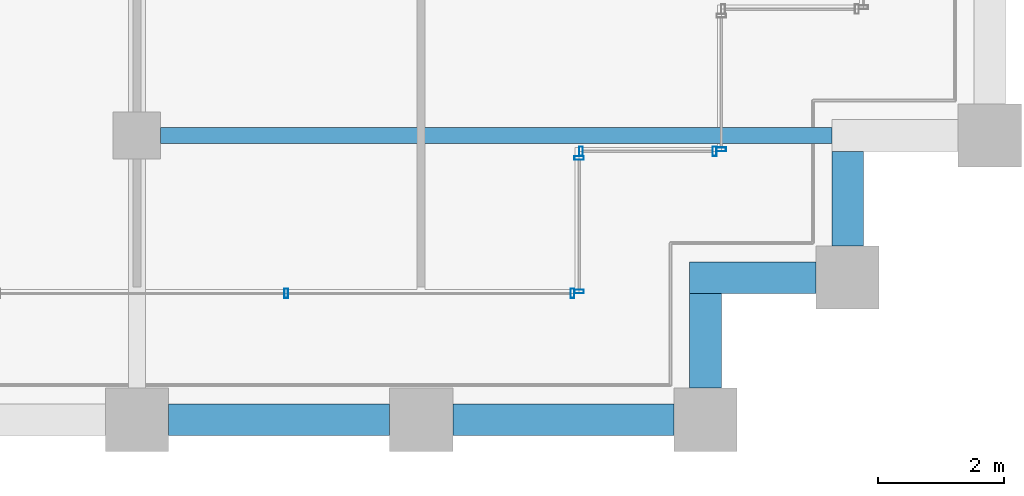
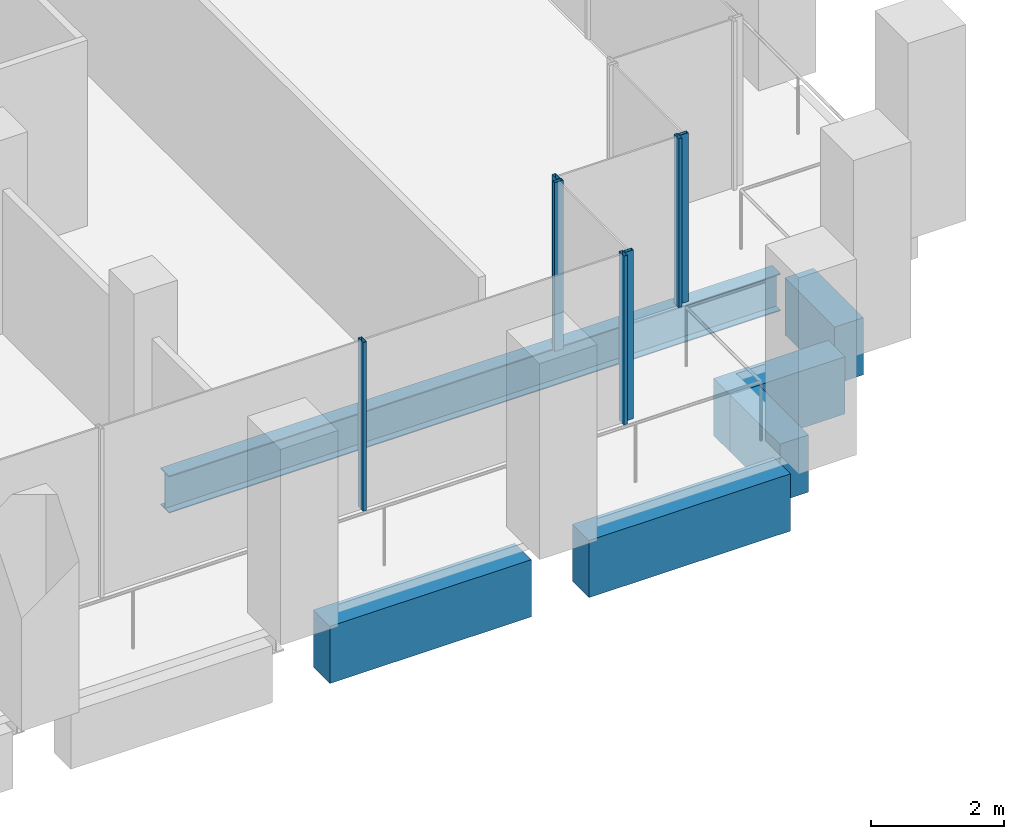
# One storey, part 12 of 46: 7 members, 6 beams, 4 elements without a shape of their own.
"""IFC4 building model written with IfcOpenShell, lengths in metres."""

from ifc_helpers import new_model, si_unit, direction, frame, origin, origin_2d, place, context, subcontext, project, spatial, rectangle, hollow_rectangle, i_section, extrude, material, material_profile, profile_set, type_object, element, aggregate, save


model = new_model("IFC4")

# Units and contexts
model_context = context("Model", 3, precision=1e-05, world=origin(), true_north=direction((0.0, 1.0)))
body_context = subcontext(model_context, "Body", "Model", "MODEL_VIEW")
ifc_project = project(units=[si_unit("LENGTHUNIT", "METRE"), si_unit("AREAUNIT", "SQUARE_METRE"), si_unit("VOLUMEUNIT", "CUBIC_METRE"), si_unit("PLANEANGLEUNIT", "RADIAN"), si_unit("MASSUNIT", "GRAM", prefix="KILO")], contexts=[model_context])

# Site, building, storey
site_placement = place(None, origin())
site = spatial("IfcSite", under=ifc_project, at=site_placement, CompositionType="ELEMENT")
building_placement = place(site_placement, origin())
building = spatial("IfcBuilding", under=site, at=building_placement, Name="Altepetl Exchange Towers", CompositionType="ELEMENT")
storey_placement = place(building_placement, frame((0.0, 0.0, 106.39990234375)))
storey = spatial("IfcBuildingStorey", under=building, at=storey_placement, Name="L26", CompositionType="ELEMENT", Elevation=106.39990234375)

# Beam
ifc_material_1 = material(Name="Steel S355", Category="steel")
ifc_material_profile_1 = material_profile(ifc_material_1, i_section(OverallWidth=0.25390625, OverallDepth=0.68408203125, WebThickness=0.012451171875, FlangeThickness=0.018798828125, at=origin_2d()), Name="W27X94")
ifc_profile_set_1 = profile_set([ifc_material_profile_1], Name="Steel S355")
beam_type_1 = type_object("IfcBeamType", Name="Floor beam W27X94", PredefinedType="BEAM", material=ifc_profile_set_1)
beam_1_placement = place(storey_placement, frame((58.875, 31.5, -0.491943359375), z_axis=(1.0, 0.0, 0.0), x_axis=(0.0, 1.0, 0.0)))
element("IfcBeam", 1, at=beam_1_placement, inside=storey, type_object=beam_type_1, Name="bm:A:L26:006", PredefinedType="BEAM", context=body_context, shape_type="SweptSolid", body=[
    extrude(i_section(OverallWidth=0.25390625, OverallDepth=0.68408203125, WebThickness=0.012451171875, FlangeThickness=0.018798828125, at=origin_2d()), origin(), (0.0, 0.0, 1.0), 10.625),
])

# Curtain wall, members
ifc_material_2 = material(Name="Aluminium 6063-T6 glazing", Category="aluminium")
curtain_wall_type = type_object("IfcCurtainWallType", Name="Loggia glazing system", PredefinedType="NOTDEFINED", material=ifc_material_2)
curtain_wall_1_placement = place(storey_placement, origin())
curtain_wall_1 = element("IfcCurtainWall", 2, at=curtain_wall_1_placement, inside=storey, type_object=curtain_wall_type, Name="CW1 run", PredefinedType="NOTDEFINED")
ifc_material_3 = material(Name="Aluminium 6063-T6", Category="aluminium")
ifc_material_profile_2 = material_profile(ifc_material_3, hollow_rectangle(XDim=0.06005859375, YDim=0.14990234375, WallThickness=0.0029296875, at=origin_2d()), Name="Mullion 60x150 aluminium")
ifc_profile_set_2 = profile_set([ifc_material_profile_2], Name="Aluminium 6063-T6")
member_type = type_object("IfcMemberType", Name="Mullion 60x150 aluminium", PredefinedType="MULLION", material=ifc_profile_set_2)
member_1_placement = place(storey_placement, frame((60.8642578125, 29.0, 0.0)))
member_1 = element("IfcMember", 3, at=member_1_placement, type_object=member_type, Name="MU1 mullion", PredefinedType="MULLION", context=body_context, shape_type="SweptSolid", body=[
    extrude(hollow_rectangle(XDim=0.06005859375, YDim=0.14990234375, WallThickness=0.0029296875, at=origin_2d()), origin(), (0.0, 0.0, 1.0), 3.10009765625),
])
member_2_placement = place(storey_placement, frame((65.39501953125, 29.0, 0.0)))
member_2 = element("IfcMember", 4, at=member_2_placement, type_object=member_type, Name="MU1 mullion", PredefinedType="MULLION", context=body_context, shape_type="SweptSolid", body=[
    extrude(hollow_rectangle(XDim=0.06005859375, YDim=0.14990234375, WallThickness=0.0029296875, at=origin_2d()), origin(), (0.0, 0.0, 1.0), 3.10009765625),
])
aggregate(curtain_wall_1, [member_1, member_2])

curtain_wall_2_placement = place(storey_placement, origin())
curtain_wall_2 = element("IfcCurtainWall", 5, at=curtain_wall_2_placement, inside=storey, type_object=curtain_wall_type, Name="CW1 run", PredefinedType="NOTDEFINED")
member_3_placement = place(storey_placement, frame((65.5, 29.030029296875, 0.0), z_axis=(0.0, 0.0, 1.0), x_axis=(0.0, 1.0, 0.0)))
member_3 = element("IfcMember", 6, at=member_3_placement, type_object=member_type, Name="MU1 mullion", PredefinedType="MULLION", context=body_context, shape_type="SweptSolid", body=[
    extrude(hollow_rectangle(XDim=0.06005859375, YDim=0.14990234375, WallThickness=0.0029296875, at=origin_2d()), origin(), (0.0, 0.0, 1.0), 3.10009765625),
])
member_4_placement = place(storey_placement, frame((65.5, 31.14501953125, 0.0), z_axis=(0.0, 0.0, 1.0), x_axis=(0.0, 1.0, 0.0)))
member_4 = element("IfcMember", 7, at=member_4_placement, type_object=member_type, Name="MU1 mullion", PredefinedType="MULLION", context=body_context, shape_type="SweptSolid", body=[
    extrude(hollow_rectangle(XDim=0.06005859375, YDim=0.14990234375, WallThickness=0.0029296875, at=origin_2d()), origin(), (0.0, 0.0, 1.0), 3.10009765625),
])
aggregate(curtain_wall_2, [member_3, member_4])

curtain_wall_3_placement = place(storey_placement, origin())
curtain_wall_3 = element("IfcCurtainWall", 8, at=curtain_wall_3_placement, inside=storey, type_object=curtain_wall_type, Name="CW1 run", PredefinedType="NOTDEFINED")
member_5_placement = place(storey_placement, frame((65.530029296875, 31.25, 0.0)))
member_5 = element("IfcMember", 9, at=member_5_placement, type_object=member_type, Name="MU1 mullion", PredefinedType="MULLION", context=body_context, shape_type="SweptSolid", body=[
    extrude(hollow_rectangle(XDim=0.06005859375, YDim=0.14990234375, WallThickness=0.0029296875, at=origin_2d()), origin(), (0.0, 0.0, 1.0), 3.10009765625),
])
member_6_placement = place(storey_placement, frame((67.64501953125, 31.25, 0.0)))
member_6 = element("IfcMember", 10, at=member_6_placement, type_object=member_type, Name="MU1 mullion", PredefinedType="MULLION", context=body_context, shape_type="SweptSolid", body=[
    extrude(hollow_rectangle(XDim=0.06005859375, YDim=0.14990234375, WallThickness=0.0029296875, at=origin_2d()), origin(), (0.0, 0.0, 1.0), 3.10009765625),
])
aggregate(curtain_wall_3, [member_5, member_6])

# Curtain wall, member
curtain_wall_4_placement = place(storey_placement, origin())
curtain_wall_4 = element("IfcCurtainWall", 11, at=curtain_wall_4_placement, inside=storey, type_object=curtain_wall_type, Name="CW1 run", PredefinedType="NOTDEFINED")
member_7_placement = place(storey_placement, frame((67.75, 31.280029296875, 0.0), z_axis=(0.0, 0.0, 1.0), x_axis=(0.0, 1.0, 0.0)))
member_7 = element("IfcMember", 12, at=member_7_placement, type_object=member_type, Name="MU1 mullion", PredefinedType="MULLION", context=body_context, shape_type="SweptSolid", body=[
    extrude(hollow_rectangle(XDim=0.06005859375, YDim=0.14990234375, WallThickness=0.0029296875, at=origin_2d()), origin(), (0.0, 0.0, 1.0), 3.10009765625),
])
aggregate(curtain_wall_4, [member_7])

# Beams
ifc_material_4 = material(Name="Concrete C50/60 precast with cantera amarilla facing", Category="concrete")
ifc_material_profile_3 = material_profile(ifc_material_4, rectangle(XDim=0.5, YDim=1.050048828125, at=origin_2d()), Name="500 x 1050")
ifc_profile_set_3 = profile_set([ifc_material_profile_3], Name="Concrete C50/60 precast with cantera amarilla facing")
beam_type_2 = type_object("IfcBeamType", Name="Spandrel beam 500x1050 cantera amarilla", PredefinedType="SPANDREL", material=ifc_profile_set_3)
for number, where, z_axis, x_axis, name in (
    (13, (59.0, 27.0, -0.6748046875), (1.0, 0.0, 0.0), (0.0, 1.0, 0.0), "sp:A:L26:006"),
    (14, (63.5, 27.0, -0.6748046875), (1.0, 0.0, 0.0), (0.0, 1.0, 0.0), "sp:A:L26:007"),
):
    element("IfcBeam", number, at=place(storey_placement, frame(where, z_axis=z_axis, x_axis=x_axis)), inside=storey, type_object=beam_type_2, Name=name, PredefinedType="SPANDREL", context=body_context, shape_type="SweptSolid", body=[
        extrude(rectangle(XDim=0.5, YDim=1.050048828125, at=origin_2d()), origin(), (0.0, 0.0, 1.0), 3.5),
    ])
beam_2_placement = place(storey_placement, frame((67.5, 27.5, -0.6748046875), z_axis=(0.0, 1.0, 0.0), x_axis=(-1.0, 0.0, 0.0)))
element("IfcBeam", 15, at=beam_2_placement, inside=storey, type_object=beam_type_2, Name="sp:A:L26:008", PredefinedType="SPANDREL", context=body_context, shape_type="SweptSolid", body=[
    extrude(rectangle(XDim=0.5, YDim=1.050048828125, at=origin_2d()), origin(), (0.0, 0.0, 1.0), 1.5),
])
beam_3_placement = place(storey_placement, frame((67.25, 29.25, -0.6748046875), z_axis=(1.0, 0.0, 0.0), x_axis=(0.0, 1.0, 0.0)))
element("IfcBeam", 16, at=beam_3_placement, inside=storey, type_object=beam_type_2, Name="sp:A:L26:009", PredefinedType="SPANDREL", context=body_context, shape_type="SweptSolid", body=[
    extrude(rectangle(XDim=0.5, YDim=1.050048828125, at=origin_2d()), origin(), (0.0, 0.0, 1.0), 2.0),
])
beam_4_placement = place(storey_placement, frame((69.75, 29.75, -0.6748046875), z_axis=(0.0, 1.0, 0.0), x_axis=(-1.0, 0.0, 0.0)))
element("IfcBeam", 17, at=beam_4_placement, inside=storey, type_object=beam_type_2, Name="sp:A:L26:010", PredefinedType="SPANDREL", context=body_context, shape_type="SweptSolid", body=[
    extrude(rectangle(XDim=0.5, YDim=1.050048828125, at=origin_2d()), origin(), (0.0, 0.0, 1.0), 1.5),
])

save(model, "model.ifc")
